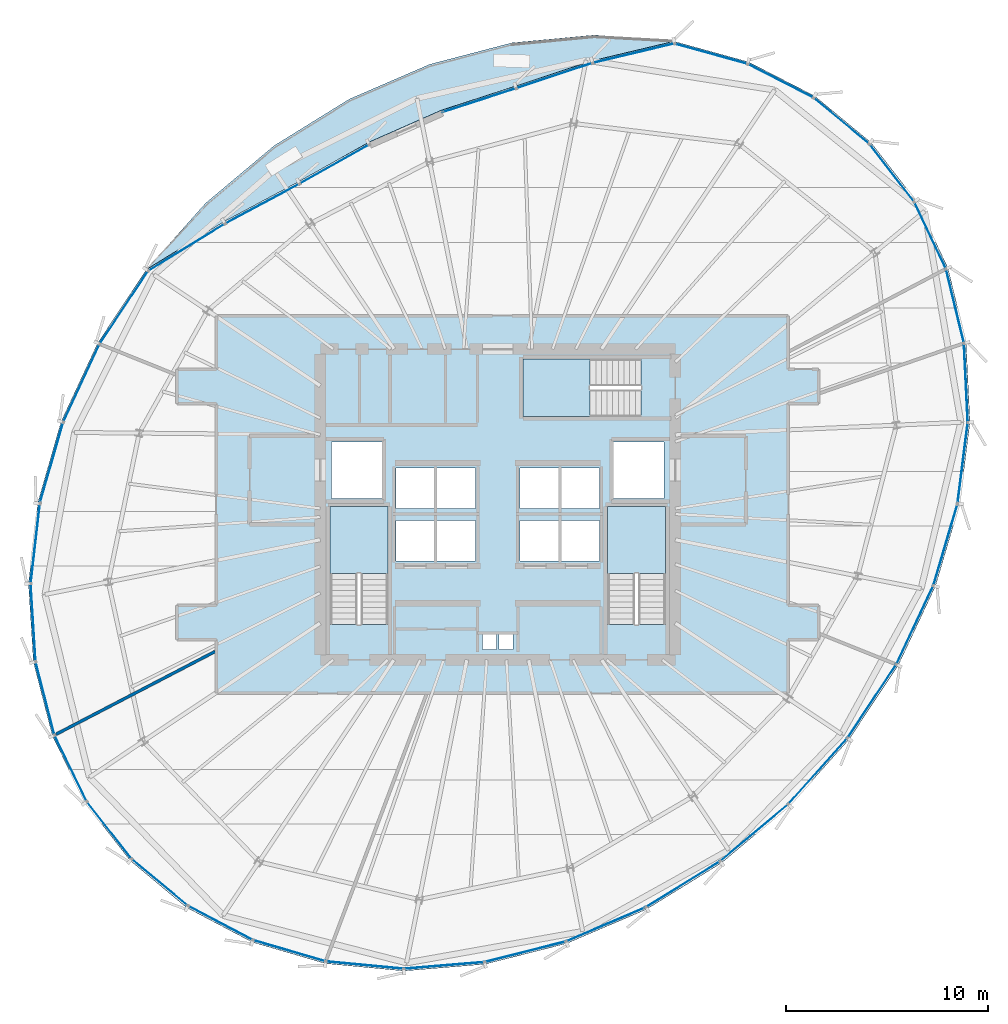
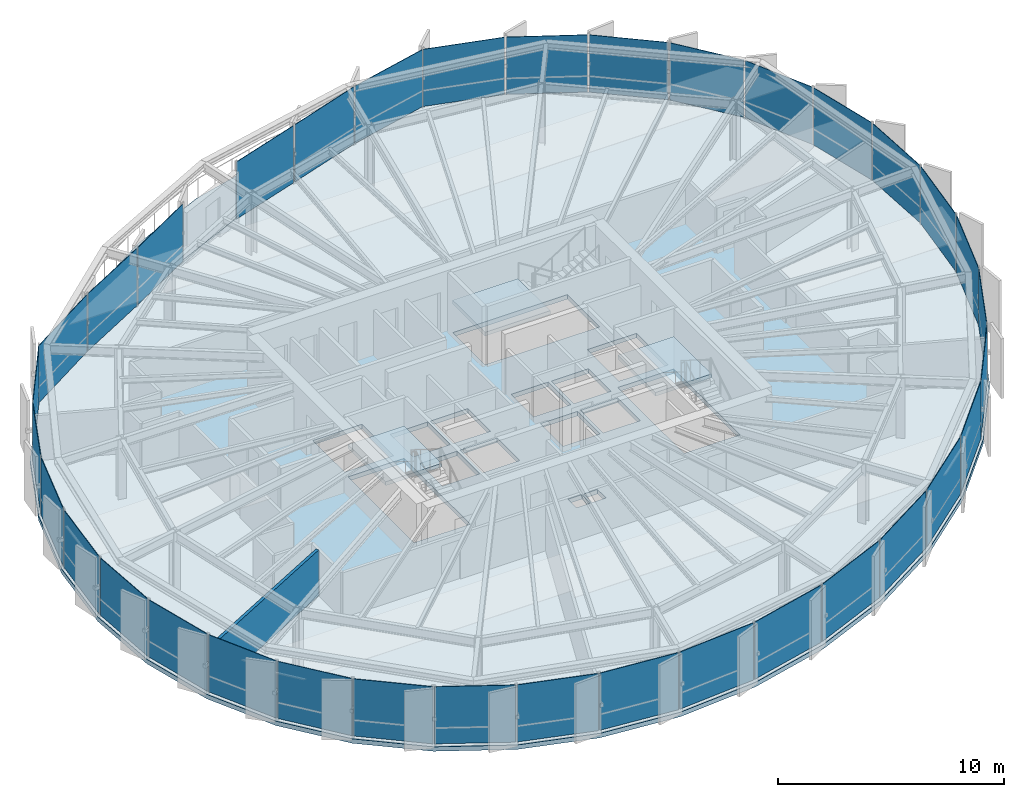
# One storey, part 27 of 33: 35 plates, 5 slabs, 1 wall, 9 elements without a shape of their own.
"""IFC4 building model written with IfcOpenShell, lengths in metres."""

from ifc_helpers import new_model, si_unit, direction, frame, frame_2d, origin, origin_2d, place, context, subcontext, project, spatial, polyline, rectangle, outline, extrude, source, transform, mapped, material, layer, layer_set, type_object, element, aggregate, save


model = new_model("IFC4")

# Units and contexts
model_context = context("Model", 3, precision=1e-05, world=origin(), true_north=direction((0.0, 1.0)))
body_context = subcontext(model_context, "Body", "Model", "MODEL_VIEW")
ifc_project = project(units=[si_unit("LENGTHUNIT", "METRE"), si_unit("AREAUNIT", "SQUARE_METRE"), si_unit("VOLUMEUNIT", "CUBIC_METRE"), si_unit("PLANEANGLEUNIT", "RADIAN"), si_unit("MASSUNIT", "GRAM", prefix="KILO"), si_unit("THERMODYNAMICTEMPERATUREUNIT", "KELVIN")], contexts=[model_context])

# Site, building, storey
site_placement = place(None, origin())
site = spatial("IfcSite", under=ifc_project, at=site_placement, CompositionType="ELEMENT")
building_placement = place(site_placement, origin())
building = spatial("IfcBuilding", under=site, at=building_placement, Name="Kethvar Cultural Tower", CompositionType="ELEMENT")
storey_placement = place(building_placement, frame((0.0, 0.0, 211.39990234375)))
storey = spatial("IfcBuildingStorey", under=building, at=storey_placement, Name="L55", CompositionType="ELEMENT", Elevation=211.39990234375)

# Stair, slab
ifc_material_1 = material(Name="Concrete C40/50", Category="concrete")
stair_type = type_object("IfcStairType", Name="ST-DOGLEG-135", PredefinedType="HALF_TURN_STAIR", material=ifc_material_1)
stair_1_placement = place(storey_placement, origin())
stair_1 = element("IfcStair", 1, at=stair_1_placement, inside=storey, type_object=stair_type, Name="L55 Core Exit Stair 1", PredefinedType="HALF_TURN_STAIR")
ifc_layer_1 = layer(ifc_material_1, 0.199951171875, Name="Concrete C40/50", Category="concrete")
ifc_layer_set_1 = layer_set([ifc_layer_1], Name="Concrete C40/50 (200 mm)")
slab_type_1 = type_object("IfcSlabType", Name="SL-STAIR-LANDING-200", PredefinedType="LANDING", material=ifc_layer_set_1)
slab_1_placement = place(storey_placement, frame((0.0, 0.0, 1.550048828125)))
slab_1 = element("IfcSlab", 2, at=slab_1_placement, type_object=slab_type_1, Name="ST-01 landing 1", PredefinedType="LANDING", context=body_context, shape_type="SweptSolid", body=[
    extrude(outline(polyline([(41.35009765625, 24.3701171875), (41.35009765625, 27.699951171875), (38.489990234375, 27.699951171875), (38.489990234375, 24.3701171875), (41.35009765625, 24.3701171875)])), origin(), (0.0, 0.0, 1.0), 0.199951171875),
])
aggregate(stair_1, [slab_1])

stair_2_placement = place(storey_placement, origin())
stair_2 = element("IfcStair", 3, at=stair_2_placement, inside=storey, type_object=stair_type, Name="L55 Core Exit Stair 2", PredefinedType="HALF_TURN_STAIR")
slab_2_placement = place(storey_placement, frame((0.0, 0.0, 1.550048828125)))
slab_2 = element("IfcSlab", 4, at=slab_2_placement, type_object=slab_type_1, Name="ST-02 landing 1", PredefinedType="LANDING", context=body_context, shape_type="SweptSolid", body=[
    extrude(outline(polyline([(55.110107421875, 24.3701171875), (55.110107421875, 27.699951171875), (52.25, 27.699951171875), (52.25, 24.3701171875), (55.110107421875, 24.3701171875)])), origin(), (0.0, 0.0, 1.0), 0.199951171875),
])
aggregate(stair_2, [slab_2])

stair_3_placement = place(storey_placement, origin())
stair_3 = element("IfcStair", 5, at=stair_3_placement, inside=storey, type_object=stair_type, Name="L55 Core Exit Stair 3", PredefinedType="HALF_TURN_STAIR")
slab_3_placement = place(storey_placement, frame((0.0, 0.0, 1.550048828125)))
slab_3 = element("IfcSlab", 6, at=slab_3_placement, type_object=slab_type_1, Name="ST-03 landing 1", PredefinedType="LANDING", context=body_context, shape_type="SweptSolid", body=[
    extrude(outline(polyline([(51.3798828125, 35.010009765625), (48.050048828125, 35.010009765625), (48.050048828125, 32.14990234375), (51.3798828125, 32.14990234375), (51.3798828125, 35.010009765625)])), origin(), (0.0, 0.0, 1.0), 0.199951171875),
])
aggregate(stair_3, [slab_3])

# Slabs
ifc_layer_2 = layer(ifc_material_1, 0.215087890625, Name="Concrete C40/50", Category="concrete")
ifc_layer_set_2 = layer_set([ifc_layer_2], Name="Concrete C40/50 (215 mm)")
slab_type_2 = type_object("IfcSlabType", Name="SL-TER-EXT", PredefinedType="FLOOR", material=ifc_layer_set_2)
slab_4_placement = place(storey_placement, frame((0.0, 0.0, -0.21484375)))
element("IfcSlab", 7, at=slab_4_placement, inside=storey, type_object=slab_type_2, Name="L55 Spiralling Sky Terrace Deck", PredefinedType="FLOOR", context=body_context, shape_type="SweptSolid", body=[
    extrude(outline(polyline([(55.544921875, 50.759765625), (51.602294921875, 51.075927734375), (47.51904296875, 50.68994140625), (43.4248046875, 49.618896484375), (39.44775390625, 47.899169921875), (35.7099609375, 45.583984375), (32.321533203125, 42.740478515625), (29.376708984375, 39.44677734375), (33.22119140625, 41.8125), (36.922119140625, 43.793701171875), (40.407470703125, 45.75390625), (43.997314453125, 47.339599609375), (47.673583984375, 48.533447265625), (51.469482421875, 49.790283203125), (55.544921875, 50.759765625)])), origin(), (0.0, 0.0, 1.0), 0.21484375),
])
ifc_layer_3 = layer(ifc_material_1, 0.239990234375, Name="Concrete C40/50", Category="concrete")
ifc_layer_set_3 = layer_set([ifc_layer_3], Name="Concrete C40/50 (240 mm)")
slab_type_3 = type_object("IfcSlabType", Name="SL-TOW-240", PredefinedType="FLOOR", material=ifc_layer_set_3)
slab_5_placement = place(storey_placement, frame((0.0, 0.0, -0.239990234375)))
element("IfcSlab", 8, at=slab_5_placement, inside=storey, type_object=slab_type_3, Name="L55 Structural Floor Slab", PredefinedType="FLOOR", context=body_context, shape_type="SweptSolid", body=[
    extrude(outline(polyline([(65.3125, 45.73974609375), (62.510498046875, 48.055419921875), (59.22021484375, 49.74462890625), (55.544921875, 50.759765625), (51.469482421875, 49.790283203125), (47.673583984375, 48.533447265625), (43.997314453125, 47.339599609375), (40.407470703125, 45.75390625), (36.922119140625, 43.793701171875), (33.22119140625, 41.8125), (29.376708984375, 39.44677734375), (26.96142578125, 35.799072265625), (25.148681640625, 31.908203125), (23.993896484375, 27.892578125), (23.531982421875, 23.874267578125), (23.77734375, 19.97509765625), (24.721923828125, 16.313720703125), (26.33740234375, 13.001220703125), (28.57470703125, 10.138427734375), (31.36572265625, 7.8125), (34.625732421875, 6.09375), (38.255615234375, 5.034423828125), (42.145263671875, 4.6669921875), (46.17626953125, 5.002197265625), (50.22607421875, 6.030517578125), (54.171875, 7.719970703125), (57.893798828125, 10.01953125), (61.2783203125, 12.859375), (64.226806640625, 16.15673828125), (66.658203125, 19.820068359375), (68.502197265625, 23.740966796875), (69.701171875, 27.799560546875), (70.21533203125, 31.868896484375), (70.023193359375, 35.8193359375), (69.123779296875, 39.524658203125), (67.538818359375, 42.86669921875), (65.3125, 45.73974609375)]), holes=[polyline([(38.489990234375, 21.85009765625), (38.489990234375, 27.699951171875), (41.35009765625, 27.699951171875), (41.35009765625, 21.85009765625), (38.489990234375, 21.85009765625)]), polyline([(52.25, 21.85009765625), (52.25, 27.699951171875), (55.110107421875, 27.699951171875), (55.110107421875, 21.85009765625), (52.25, 21.85009765625)]), polyline([(53.89990234375, 32.14990234375), (48.050048828125, 32.14990234375), (48.050048828125, 35.010009765625), (53.89990234375, 35.010009765625), (53.89990234375, 32.14990234375)]), polyline([(41.75, 27.0), (43.64990234375, 27.0), (43.64990234375, 25.0), (41.75, 25.0), (41.75, 27.0)]), polyline([(43.800048828125, 27.0), (45.699951171875, 27.0), (45.699951171875, 25.0), (43.800048828125, 25.0), (43.800048828125, 27.0)]), polyline([(47.89990234375, 27.0), (49.800048828125, 27.0), (49.800048828125, 25.0), (47.89990234375, 25.0), (47.89990234375, 27.0)]), polyline([(49.949951171875, 27.0), (51.85009765625, 27.0), (51.85009765625, 25.0), (49.949951171875, 25.0), (49.949951171875, 27.0)]), polyline([(41.75, 29.60009765625), (43.64990234375, 29.60009765625), (43.64990234375, 27.60009765625), (41.75, 27.60009765625), (41.75, 29.60009765625)]), polyline([(43.800048828125, 29.60009765625), (45.699951171875, 29.60009765625), (45.699951171875, 27.60009765625), (43.800048828125, 27.60009765625), (43.800048828125, 29.60009765625)]), polyline([(47.89990234375, 29.60009765625), (49.800048828125, 29.60009765625), (49.800048828125, 27.60009765625), (47.89990234375, 27.60009765625), (47.89990234375, 29.60009765625)]), polyline([(49.949951171875, 29.60009765625), (51.85009765625, 29.60009765625), (51.85009765625, 27.60009765625), (49.949951171875, 27.60009765625), (49.949951171875, 29.60009765625)]), polyline([(38.550048828125, 30.89990234375), (41.050048828125, 30.89990234375), (41.050048828125, 28.10009765625), (38.550048828125, 28.10009765625), (38.550048828125, 30.89990234375)]), polyline([(52.550048828125, 30.89990234375), (55.050048828125, 30.89990234375), (55.050048828125, 28.10009765625), (52.550048828125, 28.10009765625), (52.550048828125, 30.89990234375)]), polyline([(46.050048828125, 21.35009765625), (46.75, 21.35009765625), (46.75, 20.60009765625), (46.050048828125, 20.60009765625), (46.050048828125, 21.35009765625)]), polyline([(46.85009765625, 21.35009765625), (47.550048828125, 21.35009765625), (47.550048828125, 20.60009765625), (46.85009765625, 20.60009765625), (46.85009765625, 21.35009765625)])]), origin(), (0.0, 0.0, 1.0), 0.239990234375),
])

# Curtain wall, plate
ifc_material_2 = material(Name="Aluminium 6063-T6", Category="aluminium")
ifc_layer_4 = layer(ifc_material_2, 0.179931640625, Name="Aluminium 6063-T6", Category="aluminium")
ifc_layer_set_4 = layer_set([ifc_layer_4], Name="Aluminium 6063-T6 (180 mm)")
curtain_wall_type = type_object("IfcCurtainWallType", Name="CW-SYS-04-Z34", PredefinedType="NOTDEFINED", material=ifc_layer_set_4)
curtain_wall_1_placement = place(storey_placement, origin())
curtain_wall_1 = element("IfcCurtainWall", 9, at=curtain_wall_1_placement, inside=storey, type_object=curtain_wall_type, Name="L55 Curtain Wall Run 01", PredefinedType="NOTDEFINED")
ifc_material_3 = material(Name="Insulated Low-E Solar Glass", Category="glass")
ifc_layer_5 = layer(ifc_material_3, 0.030029296875, Name="Insulated Low-E Solar Glass", Category="glass")
ifc_layer_set_5 = layer_set([ifc_layer_5], Name="Insulated Low-E Solar Glass (30 mm)")
plate_type = type_object("IfcPlateType", Name="CW-SYS-04-Z34-PNL", PredefinedType="CURTAIN_PANEL", material=ifc_layer_set_5)
shared_shape_1 = source(origin(), body_context, "Body", "SweptSolid", [
    extrude(rectangle(XDim=3.548583984375, YDim=0.030029296875, at=origin_2d()), origin(), (0.0, 0.0, 1.0), 3.080078125),
])
plate_1_placement = place(storey_placement, frame((63.841552734375, 46.812744140625, 0.090087890625), z_axis=(0.0, 0.0, 1.0), x_axis=(-0.770824654882, 0.637047369844, 0.0)))
plate_1 = element("IfcPlate", 10, at=plate_1_placement, type_object=plate_type, Name="CW-L55-R01 Vision Glazing Panel 1", PredefinedType="CURTAIN_PANEL", context=body_context, shape_type="MappedRepresentation", body=[
    mapped(shared_shape_1, transform((0.0, 0.0, 0.0), scale=1.0)),
])

curtain_wall_2_placement = place(storey_placement, origin())
curtain_wall_2 = element("IfcCurtainWall", 11, at=curtain_wall_2_placement, inside=storey, type_object=curtain_wall_type, Name="L55 Curtain Wall Run 06", PredefinedType="NOTDEFINED")
plate_2_placement = place(storey_placement, frame((66.3388671875, 44.23583984375, 0.090087890625), z_axis=(0.0, 0.0, 1.0), x_axis=(-0.612520837897, 0.790454440902, 0.0)))
plate_2 = element("IfcPlate", 12, at=plate_2_placement, type_object=plate_type, Name="CW-L55-R06 Vision Glazing Panel 5", PredefinedType="CURTAIN_PANEL", context=body_context, shape_type="MappedRepresentation", body=[
    mapped(shared_shape_1, transform((0.0, 0.0, 0.0), scale=1.0)),
])

# Plate
shared_shape_2 = source(origin(), body_context, "Body", "SweptSolid", [
    extrude(rectangle(XDim=3.6123046875, YDim=0.030029296875, at=origin_2d()), origin(), (0.0, 0.0, 1.0), 3.080078125),
])
plate_3_placement = place(storey_placement, frame((60.815185546875, 48.802001953125, 0.090087890625), z_axis=(0.0, 0.0, 1.0), x_axis=(-0.889623706169, 0.456694275662, 0.0)))
plate_3 = element("IfcPlate", 13, at=plate_3_placement, type_object=plate_type, Name="CW-L55-R01 Vision Glazing Panel 2", PredefinedType="CURTAIN_PANEL", context=body_context, shape_type="MappedRepresentation", body=[
    mapped(shared_shape_2, transform((0.0, 0.0, 0.0), scale=1.0)),
])

plate_4_placement = place(storey_placement, frame((68.23193359375, 41.1484375, 0.090087890625), z_axis=(0.0, 0.0, 1.0), x_axis=(-0.428509399065, 0.903537323475, 0.0)))
plate_4 = element("IfcPlate", 14, at=plate_4_placement, type_object=plate_type, Name="CW-L55-R06 Vision Glazing Panel 4", PredefinedType="CURTAIN_PANEL", context=body_context, shape_type="MappedRepresentation", body=[
    mapped(shared_shape_2, transform((0.0, 0.0, 0.0), scale=1.0)),
])

shared_shape_3 = source(origin(), body_context, "Body", "SweptSolid", [
    extrude(rectangle(XDim=3.7265625, YDim=0.030029296875, at=origin_2d()), origin(), (0.0, 0.0, 1.0), 3.080078125),
])
plate_5_placement = place(storey_placement, frame((57.353271484375, 50.146240234375, 0.090087890625), z_axis=(0.0, 0.0, 1.0), x_axis=(-0.96390512944, 0.266245941641, 0.0)))
plate_5 = element("IfcPlate", 15, at=plate_5_placement, type_object=plate_type, Name="CW-L55-R01 Vision Glazing Panel 3", PredefinedType="CURTAIN_PANEL", context=body_context, shape_type="MappedRepresentation", body=[
    mapped(shared_shape_3, transform((0.0, 0.0, 0.0), scale=1.0)),
])

plate_6_placement = place(storey_placement, frame((69.466552734375, 37.64599609375, 0.090087890625), z_axis=(0.0, 0.0, 1.0), x_axis=(-0.235854534488, 0.971788371283, 0.0)))
plate_6 = element("IfcPlate", 16, at=plate_6_placement, type_object=plate_type, Name="CW-L55-R06 Vision Glazing Panel 3", PredefinedType="CURTAIN_PANEL", context=body_context, shape_type="MappedRepresentation", body=[
    mapped(shared_shape_3, transform((0.0, 0.0, 0.0), scale=1.0)),
])

shared_shape_4 = source(origin(), body_context, "Body", "SweptSolid", [
    extrude(rectangle(XDim=4.102783203125, YDim=0.030029296875, at=origin_2d()), origin(), (0.0, 0.0, 1.0), 3.080078125),
])
plate_7_placement = place(storey_placement, frame((53.53271484375, 50.168212890625, 0.090087890625), z_axis=(0.0, 0.0, 1.0), x_axis=(-0.972856714222, -0.231408326543, 0.0)))
plate_7 = element("IfcPlate", 17, at=plate_7_placement, type_object=plate_type, Name="CW-L55-R01 Vision Glazing Panel 4", PredefinedType="CURTAIN_PANEL", context=body_context, shape_type="MappedRepresentation", body=[
    mapped(shared_shape_4, transform((0.0, 0.0, 0.0), scale=1.0)),
])

shared_shape_5 = source(origin(), body_context, "Body", "SweptSolid", [
    extrude(rectangle(XDim=3.912109375, YDim=0.030029296875, at=origin_2d()), origin(), (0.0, 0.0, 1.0), 3.080078125),
])
plate_8_placement = place(storey_placement, frame((49.606201171875, 49.0576171875, 0.090087890625), z_axis=(0.0, 0.0, 1.0), x_axis=(-0.949299356499, -0.314373554472, 0.0)))
plate_8 = element("IfcPlate", 18, at=plate_8_placement, type_object=plate_type, Name="CW-L55-R01 Vision Glazing Panel 5", PredefinedType="CURTAIN_PANEL", context=body_context, shape_type="MappedRepresentation", body=[
    mapped(shared_shape_5, transform((0.0, 0.0, 0.0), scale=1.0)),
])

shared_shape_6 = source(origin(), body_context, "Body", "SweptSolid", [
    extrude(rectangle(XDim=3.77880859375, YDim=0.030029296875, at=origin_2d()), origin(), (0.0, 0.0, 1.0), 3.080078125),
])
plate_9_placement = place(storey_placement, frame((45.869384765625, 47.831787109375, 0.090087890625), z_axis=(0.0, 0.0, 1.0), x_axis=(-0.951110435449, -0.308850998993, 0.0)))
plate_9 = element("IfcPlate", 19, at=plate_9_placement, type_object=plate_type, Name="CW-L55-R01 Vision Glazing Panel 6", PredefinedType="CURTAIN_PANEL", context=body_context, shape_type="MappedRepresentation", body=[
    mapped(shared_shape_6, transform((0.0, 0.0, 0.0), scale=1.0)),
])

aggregate(curtain_wall_1, [plate_1, plate_3, plate_5, plate_7, plate_8, plate_9])

# Curtain wall, plates
curtain_wall_3_placement = place(storey_placement, origin())
curtain_wall_3 = element("IfcCurtainWall", 20, at=curtain_wall_3_placement, inside=storey, type_object=curtain_wall_type, Name="L55 Curtain Wall Run 02", PredefinedType="NOTDEFINED")
shared_shape_7 = source(origin(), body_context, "Body", "SweptSolid", [
    extrude(rectangle(XDim=3.912353515625, YDim=0.030029296875, at=origin_2d()), origin(), (0.0, 0.0, 1.0), 3.080078125),
])
plate_10_placement = place(storey_placement, frame((38.718505859375, 44.677978515625, 0.090087890625), z_axis=(0.0, 0.0, 1.0), x_axis=(-0.871599097283, -0.490219352551, 0.0)))
plate_10 = element("IfcPlate", 21, at=plate_10_placement, type_object=plate_type, Name="CW-L55-R02 Vision Glazing Panel 1", PredefinedType="CURTAIN_PANEL", context=body_context, shape_type="MappedRepresentation", body=[
    mapped(shared_shape_7, transform((0.0, 0.0, 0.0), scale=1.0)),
])
shared_shape_8 = source(origin(), body_context, "Body", "SweptSolid", [
    extrude(rectangle(XDim=4.111328125, YDim=0.030029296875, at=origin_2d()), origin(), (0.0, 0.0, 1.0), 3.080078125),
])
plate_11_placement = place(storey_placement, frame((35.12353515625, 42.7060546875, 0.090087890625), z_axis=(0.0, 0.0, 1.0), x_axis=(-0.881608428252, -0.47198154544, 0.0)))
plate_11 = element("IfcPlate", 22, at=plate_11_placement, type_object=plate_type, Name="CW-L55-R02 Vision Glazing Panel 2", PredefinedType="CURTAIN_PANEL", context=body_context, shape_type="MappedRepresentation", body=[
    mapped(shared_shape_8, transform((0.0, 0.0, 0.0), scale=1.0)),
])
shared_shape_9 = source(origin(), body_context, "Body", "SweptSolid", [
    extrude(rectangle(XDim=4.427490234375, YDim=0.030029296875, at=origin_2d()), origin(), (0.0, 0.0, 1.0), 3.080078125),
])
plate_12_placement = place(storey_placement, frame((31.356689453125, 40.535888671875, 0.090087890625), z_axis=(0.0, 0.0, 1.0), x_axis=(-0.851662910832, -0.524089960135, 0.0)))
plate_12 = element("IfcPlate", 23, at=plate_12_placement, type_object=plate_type, Name="CW-L55-R02 Vision Glazing Panel 3", PredefinedType="CURTAIN_PANEL", context=body_context, shape_type="MappedRepresentation", body=[
    mapped(shared_shape_9, transform((0.0, 0.0, 0.0), scale=1.0)),
])
shared_shape_10 = source(origin(), body_context, "Body", "SweptSolid", [
    extrude(rectangle(XDim=4.28857421875, YDim=0.030029296875, at=origin_2d()), origin(), (0.0, 0.0, 1.0), 3.080078125),
])
plate_13_placement = place(storey_placement, frame((28.260986328125, 37.56201171875, 0.090087890625), z_axis=(0.0, 0.0, 1.0), x_axis=(-0.552097069724, -0.833779842406, 0.0)))
plate_13 = element("IfcPlate", 24, at=plate_13_placement, type_object=plate_type, Name="CW-L55-R02 Vision Glazing Panel 4", PredefinedType="CURTAIN_PANEL", context=body_context, shape_type="MappedRepresentation", body=[
    mapped(shared_shape_10, transform((0.0, 0.0, 0.0), scale=1.0)),
])

# Curtain wall, plate
curtain_wall_4_placement = place(storey_placement, origin())
curtain_wall_4 = element("IfcCurtainWall", 25, at=curtain_wall_4_placement, inside=storey, type_object=curtain_wall_type, Name="L55 Curtain Wall Run 05", PredefinedType="NOTDEFINED")
plate_14_placement = place(storey_placement, frame((55.974853515625, 8.96337890625, 0.090087890625), z_axis=(0.0, 0.0, 1.0), x_axis=(0.85071021043, 0.525634985394, 0.0)))
plate_14 = element("IfcPlate", 26, at=plate_14_placement, type_object=plate_type, Name="CW-L55-R05 Vision Glazing Panel 1", PredefinedType="CURTAIN_PANEL", context=body_context, shape_type="MappedRepresentation", body=[
    mapped(shared_shape_10, transform((0.0, 0.0, 0.0), scale=1.0)),
])

# Plate
shared_shape_11 = source(origin(), body_context, "Body", "SweptSolid", [
    extrude(rectangle(XDim=4.2060546875, YDim=0.030029296875, at=origin_2d()), origin(), (0.0, 0.0, 1.0), 3.080078125),
])
plate_15_placement = place(storey_placement, frame((26.15478515625, 33.80712890625, 0.090087890625), z_axis=(0.0, 0.0, 1.0), x_axis=(-0.422317695466, -0.906447882725, 0.0)))
plate_15 = element("IfcPlate", 27, at=plate_15_placement, type_object=plate_type, Name="CW-L55-R02 Vision Glazing Panel 5", PredefinedType="CURTAIN_PANEL", context=body_context, shape_type="MappedRepresentation", body=[
    mapped(shared_shape_11, transform((0.0, 0.0, 0.0), scale=1.0)),
])

shared_shape_12 = source(origin(), body_context, "Body", "SweptSolid", [
    extrude(rectangle(XDim=4.091796875, YDim=0.030029296875, at=origin_2d()), origin(), (0.0, 0.0, 1.0), 3.080078125),
])
plate_16_placement = place(storey_placement, frame((24.677001953125, 29.8701171875, 0.090087890625), z_axis=(0.0, 0.0, 1.0), x_axis=(-0.276358696932, -0.961054561734, 0.0)))
plate_16 = element("IfcPlate", 28, at=plate_16_placement, type_object=plate_type, Name="CW-L55-R02 Vision Glazing Panel 6", PredefinedType="CURTAIN_PANEL", context=body_context, shape_type="MappedRepresentation", body=[
    mapped(shared_shape_12, transform((0.0, 0.0, 0.0), scale=1.0)),
])

aggregate(curtain_wall_3, [plate_10, plate_11, plate_12, plate_13, plate_15, plate_16])

# Curtain wall, plate
curtain_wall_5_placement = place(storey_placement, origin())
curtain_wall_5 = element("IfcCurtainWall", 29, at=curtain_wall_5_placement, inside=storey, type_object=curtain_wall_type, Name="L55 Curtain Wall Run 03", PredefinedType="NOTDEFINED")
shared_shape_13 = source(origin(), body_context, "Body", "SweptSolid", [
    extrude(rectangle(XDim=3.95849609375, YDim=0.030029296875, at=origin_2d()), origin(), (0.0, 0.0, 1.0), 3.080078125),
])
plate_17_placement = place(storey_placement, frame((23.872314453125, 25.870849609375, 0.090087890625), z_axis=(0.0, 0.0, 1.0), x_axis=(-0.1141916003, -0.993458745203, 0.0)))
plate_17 = element("IfcPlate", 30, at=plate_17_placement, type_object=plate_type, Name="CW-L55-R03 Vision Glazing Panel 1", PredefinedType="CURTAIN_PANEL", context=body_context, shape_type="MappedRepresentation", body=[
    mapped(shared_shape_13, transform((0.0, 0.0, 0.0), scale=1.0)),
])

curtain_wall_6_placement = place(storey_placement, origin())
curtain_wall_6 = element("IfcCurtainWall", 31, at=curtain_wall_6_placement, inside=storey, type_object=curtain_wall_type, Name="L55 Curtain Wall Run 04", PredefinedType="NOTDEFINED")
plate_18_placement = place(storey_placement, frame((44.151611328125, 4.944091796875, 0.090087890625), z_axis=(0.0, 0.0, 1.0), x_axis=(0.996556825378, 0.082912567153, 0.0)))
plate_18 = element("IfcPlate", 32, at=plate_18_placement, type_object=plate_type, Name="CW-L55-R04 Vision Glazing Panel 4", PredefinedType="CURTAIN_PANEL", context=body_context, shape_type="MappedRepresentation", body=[
    mapped(shared_shape_13, transform((0.0, 0.0, 0.0), scale=1.0)),
])

# Plate
shared_shape_14 = source(origin(), body_context, "Body", "SweptSolid", [
    extrude(rectangle(XDim=3.820556640625, YDim=0.030029296875, at=origin_2d()), origin(), (0.0, 0.0, 1.0), 3.080078125),
])
plate_19_placement = place(storey_placement, frame((23.764404296875, 21.931396484375, 0.090087890625), z_axis=(0.0, 0.0, 1.0), x_axis=(0.062755681786, -0.998028919623, 0.0)))
plate_19 = element("IfcPlate", 33, at=plate_19_placement, type_object=plate_type, Name="CW-L55-R03 Vision Glazing Panel 2", PredefinedType="CURTAIN_PANEL", context=body_context, shape_type="MappedRepresentation", body=[
    mapped(shared_shape_14, transform((0.0, 0.0, 0.0), scale=1.0)),
])

shared_shape_15 = source(origin(), body_context, "Body", "SweptSolid", [
    extrude(rectangle(XDim=3.695068359375, YDim=0.030029296875, at=origin_2d()), origin(), (0.0, 0.0, 1.0), 3.080078125),
])
plate_20_placement = place(storey_placement, frame((24.356201171875, 18.171875, 0.090087890625), z_axis=(0.0, 0.0, 1.0), x_axis=(0.249839249385, -0.968287327949, 0.0)))
plate_20 = element("IfcPlate", 34, at=plate_20_placement, type_object=plate_type, Name="CW-L55-R03 Vision Glazing Panel 3", PredefinedType="CURTAIN_PANEL", context=body_context, shape_type="MappedRepresentation", body=[
    mapped(shared_shape_15, transform((0.0, 0.0, 0.0), scale=1.0)),
])

shared_shape_16 = source(origin(), body_context, "Body", "SweptSolid", [
    extrude(rectangle(XDim=3.598876953125, YDim=0.030029296875, at=origin_2d()), origin(), (0.0, 0.0, 1.0), 3.080078125),
])
plate_21_placement = place(storey_placement, frame((25.628662109375, 14.705810546875, 0.090087890625), z_axis=(0.0, 0.0, 1.0), x_axis=(0.438371146789, -0.898794046299, 0.0)))
plate_21 = element("IfcPlate", 35, at=plate_21_placement, type_object=plate_type, Name="CW-L55-R03 Vision Glazing Panel 4", PredefinedType="CURTAIN_PANEL", context=body_context, shape_type="MappedRepresentation", body=[
    mapped(shared_shape_16, transform((0.0, 0.0, 0.0), scale=1.0)),
])

shared_shape_17 = source(origin(), body_context, "Body", "SweptSolid", [
    extrude(rectangle(XDim=3.546875, YDim=0.030029296875, at=origin_2d()), origin(), (0.0, 0.0, 1.0), 3.080078125),
])
plate_22_placement = place(storey_placement, frame((27.54296875, 11.6376953125, 0.090087890625), z_axis=(0.0, 0.0, 1.0), x_axis=(0.615771496382, -0.787924783367, 0.0)))
plate_22 = element("IfcPlate", 36, at=plate_22_placement, type_object=plate_type, Name="CW-L55-R03 Vision Glazing Panel 5", PredefinedType="CURTAIN_PANEL", context=body_context, shape_type="MappedRepresentation", body=[
    mapped(shared_shape_17, transform((0.0, 0.0, 0.0), scale=1.0)),
])

shared_shape_18 = source(origin(), body_context, "Body", "SweptSolid", [
    extrude(rectangle(XDim=3.546630859375, YDim=0.030029296875, at=origin_2d()), origin(), (0.0, 0.0, 1.0), 3.080078125),
])
plate_23_placement = place(storey_placement, frame((30.040771484375, 9.06005859375, 0.090087890625), z_axis=(0.0, 0.0, 1.0), x_axis=(0.76819413993, -0.640216965862, 0.0)))
plate_23 = element("IfcPlate", 37, at=plate_23_placement, type_object=plate_type, Name="CW-L55-R03 Vision Glazing Panel 6", PredefinedType="CURTAIN_PANEL", context=body_context, shape_type="MappedRepresentation", body=[
    mapped(shared_shape_18, transform((0.0, 0.0, 0.0), scale=1.0)),
])

aggregate(curtain_wall_5, [plate_17, plate_19, plate_20, plate_21, plate_22, plate_23])

shared_shape_19 = source(origin(), body_context, "Body", "SweptSolid", [
    extrude(rectangle(XDim=3.59912109375, YDim=0.030029296875, at=origin_2d()), origin(), (0.0, 0.0, 1.0), 3.080078125),
])
plate_24_placement = place(storey_placement, frame((33.047119140625, 7.05029296875, 0.090087890625), z_axis=(0.0, 0.0, 1.0), x_axis=(0.884580975215, -0.46638664034, 0.0)))
plate_24 = element("IfcPlate", 38, at=plate_24_placement, type_object=plate_type, Name="CW-L55-R04 Vision Glazing Panel 1", PredefinedType="CURTAIN_PANEL", context=body_context, shape_type="MappedRepresentation", body=[
    mapped(shared_shape_19, transform((0.0, 0.0, 0.0), scale=1.0)),
])

shared_shape_20 = source(origin(), body_context, "Body", "SweptSolid", [
    extrude(rectangle(XDim=3.69482421875, YDim=0.030029296875, at=origin_2d()), origin(), (0.0, 0.0, 1.0), 3.080078125),
])
plate_25_placement = place(storey_placement, frame((36.471435546875, 5.669677734375, 0.090087890625), z_axis=(0.0, 0.0, 1.0), x_axis=(0.959966785189, -0.280113854236, 0.0)))
plate_25 = element("IfcPlate", 39, at=plate_25_placement, type_object=plate_type, Name="CW-L55-R04 Vision Glazing Panel 2", PredefinedType="CURTAIN_PANEL", context=body_context, shape_type="MappedRepresentation", body=[
    mapped(shared_shape_20, transform((0.0, 0.0, 0.0), scale=1.0)),
])

shared_shape_21 = source(origin(), body_context, "Body", "SweptSolid", [
    extrude(rectangle(XDim=3.8203125, YDim=0.030029296875, at=origin_2d()), origin(), (0.0, 0.0, 1.0), 3.080078125),
])
plate_26_placement = place(storey_placement, frame((40.210693359375, 4.960205078125, 0.090087890625), z_axis=(0.0, 0.0, 1.0), x_axis=(0.995563606951, -0.09409093747, 0.0)))
plate_26 = element("IfcPlate", 40, at=plate_26_placement, type_object=plate_type, Name="CW-L55-R04 Vision Glazing Panel 3", PredefinedType="CURTAIN_PANEL", context=body_context, shape_type="MappedRepresentation", body=[
    mapped(shared_shape_21, transform((0.0, 0.0, 0.0), scale=1.0)),
])

shared_shape_22 = source(origin(), body_context, "Body", "SweptSolid", [
    extrude(rectangle(XDim=4.092041015625, YDim=0.030029296875, at=origin_2d()), origin(), (0.0, 0.0, 1.0), 3.080078125),
])
plate_27_placement = place(storey_placement, frame((48.174072265625, 5.623046875, 0.090087890625), z_axis=(0.0, 0.0, 1.0), x_axis=(0.969256681505, 0.246051794056, 0.0)))
plate_27 = element("IfcPlate", 41, at=plate_27_placement, type_object=plate_type, Name="CW-L55-R04 Vision Glazing Panel 5", PredefinedType="CURTAIN_PANEL", context=body_context, shape_type="MappedRepresentation", body=[
    mapped(shared_shape_22, transform((0.0, 0.0, 0.0), scale=1.0)),
])

shared_shape_23 = source(origin(), body_context, "Body", "SweptSolid", [
    extrude(rectangle(XDim=4.205810546875, YDim=0.030029296875, at=origin_2d()), origin(), (0.0, 0.0, 1.0), 3.080078125),
])
plate_28_placement = place(storey_placement, frame((52.15576171875, 6.976318359375, 0.090087890625), z_axis=(0.0, 0.0, 1.0), x_axis=(0.919279664766, 0.393605002441, 0.0)))
plate_28 = element("IfcPlate", 42, at=plate_28_placement, type_object=plate_type, Name="CW-L55-R04 Vision Glazing Panel 6", PredefinedType="CURTAIN_PANEL", context=body_context, shape_type="MappedRepresentation", body=[
    mapped(shared_shape_23, transform((0.0, 0.0, 0.0), scale=1.0)),
])

aggregate(curtain_wall_6, [plate_24, plate_25, plate_26, plate_18, plate_27, plate_28])

shared_shape_24 = source(origin(), body_context, "Body", "SweptSolid", [
    extrude(rectangle(XDim=4.331787109375, YDim=0.030029296875, at=origin_2d()), origin(), (0.0, 0.0, 1.0), 3.080078125),
])
plate_29_placement = place(storey_placement, frame((59.515380859375, 11.523681640625, 0.090087890625), z_axis=(0.0, 0.0, 1.0), x_axis=(0.766066880173, 0.642760869299, 0.0)))
plate_29 = element("IfcPlate", 43, at=plate_29_placement, type_object=plate_type, Name="CW-L55-R05 Vision Glazing Panel 2", PredefinedType="CURTAIN_PANEL", context=body_context, shape_type="MappedRepresentation", body=[
    mapped(shared_shape_24, transform((0.0, 0.0, 0.0), scale=1.0)),
])

shared_shape_25 = source(origin(), body_context, "Body", "SweptSolid", [
    extrude(rectangle(XDim=4.3369140625, YDim=0.030029296875, at=origin_2d()), origin(), (0.0, 0.0, 1.0), 3.080078125),
])
plate_30_placement = place(storey_placement, frame((62.670654296875, 14.581298828125, 0.090087890625), z_axis=(0.0, 0.0, 1.0), x_axis=(0.666558491865, 0.745452732856, 0.0)))
plate_30 = element("IfcPlate", 44, at=plate_30_placement, type_object=plate_type, Name="CW-L55-R05 Vision Glazing Panel 3", PredefinedType="CURTAIN_PANEL", context=body_context, shape_type="MappedRepresentation", body=[
    mapped(shared_shape_25, transform((0.0, 0.0, 0.0), scale=1.0)),
])

shared_shape_26 = source(origin(), body_context, "Body", "SweptSolid", [
    extrude(rectangle(XDim=4.310302734375, YDim=0.030029296875, at=origin_2d()), origin(), (0.0, 0.0, 1.0), 3.080078125),
])
plate_31_placement = place(storey_placement, frame((65.350830078125, 18.04931640625, 0.090087890625), z_axis=(0.0, 0.0, 1.0), x_axis=(0.553013524609, 0.833172276063, 0.0)))
plate_31 = element("IfcPlate", 45, at=plate_31_placement, type_object=plate_type, Name="CW-L55-R05 Vision Glazing Panel 4", PredefinedType="CURTAIN_PANEL", context=body_context, shape_type="MappedRepresentation", body=[
    mapped(shared_shape_26, transform((0.0, 0.0, 0.0), scale=1.0)),
])

shared_shape_27 = source(origin(), body_context, "Body", "SweptSolid", [
    extrude(rectangle(XDim=4.246337890625, YDim=0.030029296875, at=origin_2d()), origin(), (0.0, 0.0, 1.0), 3.080078125),
])
plate_32_placement = place(storey_placement, frame((67.480712890625, 21.827392578125, 0.090087890625), z_axis=(0.0, 0.0, 1.0), x_axis=(0.425542393808, 0.904938490215, 0.0)))
plate_32 = element("IfcPlate", 46, at=plate_32_placement, type_object=plate_type, Name="CW-L55-R05 Vision Glazing Panel 5", PredefinedType="CURTAIN_PANEL", context=body_context, shape_type="MappedRepresentation", body=[
    mapped(shared_shape_27, transform((0.0, 0.0, 0.0), scale=1.0)),
])

shared_shape_28 = source(origin(), body_context, "Body", "SweptSolid", [
    extrude(rectangle(XDim=4.1455078125, YDim=0.030029296875, at=origin_2d()), origin(), (0.0, 0.0, 1.0), 3.080078125),
])
plate_33_placement = place(storey_placement, frame((68.99609375, 25.801513671875, 0.090087890625), z_axis=(0.0, 0.0, 1.0), x_axis=(0.283345893093, 0.959017781309, 0.0)))
plate_33 = element("IfcPlate", 47, at=plate_33_placement, type_object=plate_type, Name="CW-L55-R05 Vision Glazing Panel 6", PredefinedType="CURTAIN_PANEL", context=body_context, shape_type="MappedRepresentation", body=[
    mapped(shared_shape_28, transform((0.0, 0.0, 0.0), scale=1.0)),
])

aggregate(curtain_wall_4, [plate_14, plate_29, plate_30, plate_31, plate_32, plate_33])

shared_shape_29 = source(origin(), body_context, "Body", "SweptSolid", [
    extrude(rectangle(XDim=4.01513671875, YDim=0.030029296875, at=origin_2d()), origin(), (0.0, 0.0, 1.0), 3.080078125),
])
plate_34_placement = place(storey_placement, frame((69.84912109375, 29.847900390625, 0.090087890625), z_axis=(0.0, 0.0, 1.0), x_axis=(0.125367864824, 0.992110325755, 0.0)))
plate_34 = element("IfcPlate", 48, at=plate_34_placement, type_object=plate_type, Name="CW-L55-R06 Vision Glazing Panel 1", PredefinedType="CURTAIN_PANEL", context=body_context, shape_type="MappedRepresentation", body=[
    mapped(shared_shape_29, transform((0.0, 0.0, 0.0), scale=1.0)),
])

shared_shape_30 = source(origin(), body_context, "Body", "SweptSolid", [
    extrude(rectangle(XDim=3.868896484375, YDim=0.030029296875, at=origin_2d()), origin(), (0.0, 0.0, 1.0), 3.080078125),
])
plate_35_placement = place(storey_placement, frame((70.009521484375, 33.838623046875, 0.090087890625), z_axis=(0.0, 0.0, 1.0), x_axis=(-0.048588281289, 0.998818891953, 0.0)))
plate_35 = element("IfcPlate", 49, at=plate_35_placement, type_object=plate_type, Name="CW-L55-R06 Vision Glazing Panel 2", PredefinedType="CURTAIN_PANEL", context=body_context, shape_type="MappedRepresentation", body=[
    mapped(shared_shape_30, transform((0.0, 0.0, 0.0), scale=1.0)),
])

aggregate(curtain_wall_2, [plate_34, plate_35, plate_6, plate_4, plate_2])

# Wall
ifc_material_4 = material(Name="Gypsum Acoustic Partition")
ifc_layer_6 = layer(ifc_material_4, 0.14990234375, Name="Gypsum Acoustic Partition")
ifc_layer_set_6 = layer_set([ifc_layer_6], Name="Gypsum Acoustic Partition (150 mm)")
wall_type = type_object("IfcWallType", Name="WL-PART-150", PredefinedType="PARTITIONING", material=ifc_layer_set_6)
wall_placement = place(storey_placement, frame((32.779052734375, 20.50537109375, 0.0), z_axis=(0.0, 0.0, 1.0), x_axis=(-0.88697068139, -0.461825735916, 0.0)))
element("IfcWall", 50, at=wall_placement, inside=storey, type_object=wall_type, Name="L55 Radial Partition Wall 01", PredefinedType="PARTITIONING", context=body_context, shape_type="SweptSolid", body=[
    extrude(rectangle(XDim=8.872314453125, YDim=0.14990234375, at=frame_2d((4.43603515625, 0.0))), origin(), (0.0, 0.0, 1.0), 2.455078125),
])

save(model, "model.ifc")
